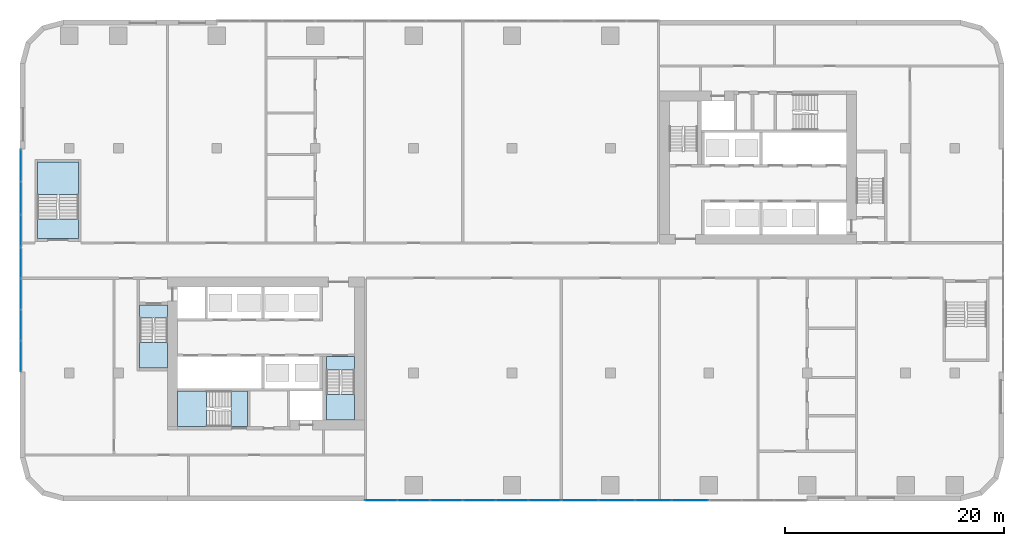
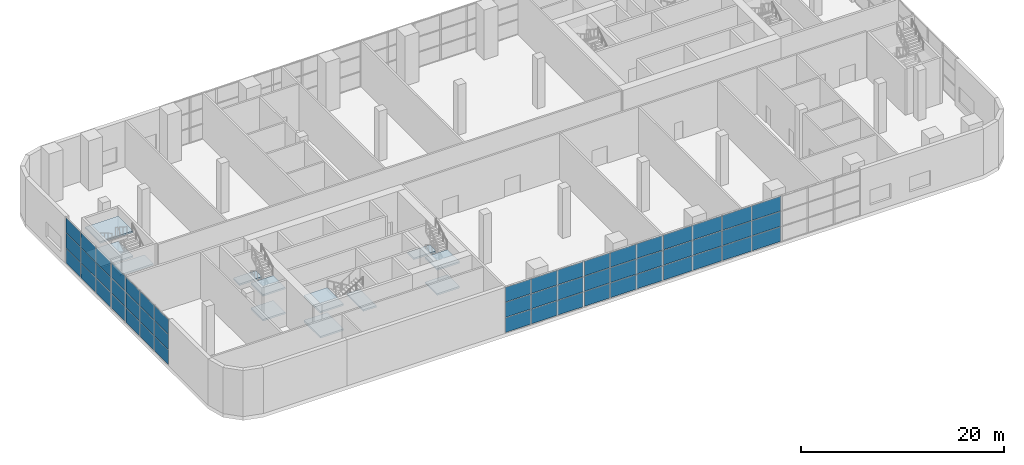
# One storey, part 9 of 27: 51 plates, 12 slabs, 9 elements without a shape of their own.
"""IFC4 building model written with IfcOpenShell, lengths in metres."""

from ifc_helpers import new_model, si_unit, direction, frame, origin, origin_2d, place, context, subcontext, project, spatial, polyline, rectangle, outline, extrude, material, layer, layer_set, type_object, element, aggregate, save


model = new_model("IFC4")

# Units and contexts
model_context = context("Model", 3, precision=1e-05, world=origin(), true_north=direction((0.0, 1.0)))
body_context = subcontext(model_context, "Body", "Model", "MODEL_VIEW")
ifc_project = project(units=[si_unit("LENGTHUNIT", "METRE"), si_unit("AREAUNIT", "SQUARE_METRE"), si_unit("VOLUMEUNIT", "CUBIC_METRE"), si_unit("PLANEANGLEUNIT", "RADIAN"), si_unit("MASSUNIT", "GRAM", prefix="KILO")], contexts=[model_context])

# Site, building, storey
site_placement = place(None, origin())
site = spatial("IfcSite", under=ifc_project, at=site_placement, CompositionType="ELEMENT")
building_placement = place(site_placement, origin())
building = spatial("IfcBuilding", under=site, at=building_placement, Name="Kajstack Hotel Tower", CompositionType="ELEMENT")
storey_placement = place(building_placement, frame((0.0, 0.0, 11.0)))
storey = spatial("IfcBuildingStorey", under=building, at=storey_placement, Name="L01", CompositionType="ELEMENT", Elevation=11.0)

# Curtain wall, plates
ifc_material_1 = material(Name="Aluminium-framed curtain wall, low-iron glass", Category="aluminium")
curtain_wall_type = type_object("IfcCurtainWallType", Name="CW-LOBBY", PredefinedType="NOTDEFINED", material=ifc_material_1)
curtain_wall_1_placement = place(storey_placement, origin())
curtain_wall_1 = element("IfcCurtainWall", 1, at=curtain_wall_1_placement, inside=storey, type_object=curtain_wall_type, Name="Curtain wall CU1 L01-03-02-0", PredefinedType="NOTDEFINED")
ifc_material_2 = material(Name="Low-iron glass", Category="glass")
ifc_layer_1 = layer(ifc_material_2, 0.031982421875)
ifc_layer_set_1 = layer_set([ifc_layer_1], Name="CW-P-LOBBY")
plate_type = type_object("IfcPlateType", Name="CW-P-LOBBY", PredefinedType="CURTAIN_PANEL", material=ifc_layer_set_1)
plate_1_placement = place(storey_placement, frame((-11.985107421875, -21.925048828125, 0.06005859375), z_axis=(0.0, 0.0, 1.0), x_axis=(1.0, 0.0, 0.0)))
plate_1 = element("IfcPlate", 2, at=plate_1_placement, type_object=plate_type, Name="CU1 panel 1.1", PredefinedType="CURTAIN_PANEL", context=body_context, shape_type="SweptSolid", body=[
    extrude(rectangle(XDim=2.909912109375, YDim=0.031982421875, at=origin_2d()), origin(), (0.0, 0.0, 1.0), 1.760009765625),
])
plate_2_placement = place(storey_placement, frame((-11.985107421875, -21.925048828125, 1.8798828125), z_axis=(0.0, 0.0, 1.0), x_axis=(1.0, 0.0, 0.0)))
plate_2 = element("IfcPlate", 3, at=plate_2_placement, type_object=plate_type, Name="CU1 panel 1.2", PredefinedType="CURTAIN_PANEL", context=body_context, shape_type="SweptSolid", body=[
    extrude(rectangle(XDim=2.909912109375, YDim=0.031982421875, at=origin_2d()), origin(), (0.0, 0.0, 1.0), 1.7900390625),
])
plate_3_placement = place(storey_placement, frame((-11.985107421875, -21.925048828125, 3.72998046875), z_axis=(0.0, 0.0, 1.0), x_axis=(1.0, 0.0, 0.0)))
plate_3 = element("IfcPlate", 4, at=plate_3_placement, type_object=plate_type, Name="CU1 panel 1.3", PredefinedType="CURTAIN_PANEL", context=body_context, shape_type="SweptSolid", body=[
    extrude(rectangle(XDim=2.909912109375, YDim=0.031982421875, at=origin_2d()), origin(), (0.0, 0.0, 1.0), 1.760009765625),
])
plate_4_placement = place(storey_placement, frame((-9.0, -21.925048828125, 0.06005859375), z_axis=(0.0, 0.0, 1.0), x_axis=(1.0, 0.0, 0.0)))
plate_4 = element("IfcPlate", 5, at=plate_4_placement, type_object=plate_type, Name="CU1 panel 2.1", PredefinedType="CURTAIN_PANEL", context=body_context, shape_type="SweptSolid", body=[
    extrude(rectangle(XDim=2.93994140625, YDim=0.031982421875, at=origin_2d()), origin(), (0.0, 0.0, 1.0), 1.760009765625),
])
plate_5_placement = place(storey_placement, frame((-9.0, -21.925048828125, 1.8798828125), z_axis=(0.0, 0.0, 1.0), x_axis=(1.0, 0.0, 0.0)))
plate_5 = element("IfcPlate", 6, at=plate_5_placement, type_object=plate_type, Name="CU1 panel 2.2", PredefinedType="CURTAIN_PANEL", context=body_context, shape_type="SweptSolid", body=[
    extrude(rectangle(XDim=2.93994140625, YDim=0.031982421875, at=origin_2d()), origin(), (0.0, 0.0, 1.0), 1.7900390625),
])
plate_6_placement = place(storey_placement, frame((-9.0, -21.925048828125, 3.72998046875), z_axis=(0.0, 0.0, 1.0), x_axis=(1.0, 0.0, 0.0)))
plate_6 = element("IfcPlate", 7, at=plate_6_placement, type_object=plate_type, Name="CU1 panel 2.3", PredefinedType="CURTAIN_PANEL", context=body_context, shape_type="SweptSolid", body=[
    extrude(rectangle(XDim=2.93994140625, YDim=0.031982421875, at=origin_2d()), origin(), (0.0, 0.0, 1.0), 1.760009765625),
])
plate_7_placement = place(storey_placement, frame((-6.014892578125, -21.925048828125, 0.06005859375), z_axis=(0.0, 0.0, 1.0), x_axis=(1.0, 0.0, 0.0)))
plate_7 = element("IfcPlate", 8, at=plate_7_placement, type_object=plate_type, Name="CU1 panel 3.1", PredefinedType="CURTAIN_PANEL", context=body_context, shape_type="SweptSolid", body=[
    extrude(rectangle(XDim=2.909912109375, YDim=0.031982421875, at=origin_2d()), origin(), (0.0, 0.0, 1.0), 1.760009765625),
])
plate_8_placement = place(storey_placement, frame((-6.014892578125, -21.925048828125, 1.8798828125), z_axis=(0.0, 0.0, 1.0), x_axis=(1.0, 0.0, 0.0)))
plate_8 = element("IfcPlate", 9, at=plate_8_placement, type_object=plate_type, Name="CU1 panel 3.2", PredefinedType="CURTAIN_PANEL", context=body_context, shape_type="SweptSolid", body=[
    extrude(rectangle(XDim=2.909912109375, YDim=0.031982421875, at=origin_2d()), origin(), (0.0, 0.0, 1.0), 1.7900390625),
])
plate_9_placement = place(storey_placement, frame((-6.014892578125, -21.925048828125, 3.72998046875), z_axis=(0.0, 0.0, 1.0), x_axis=(1.0, 0.0, 0.0)))
plate_9 = element("IfcPlate", 10, at=plate_9_placement, type_object=plate_type, Name="CU1 panel 3.3", PredefinedType="CURTAIN_PANEL", context=body_context, shape_type="SweptSolid", body=[
    extrude(rectangle(XDim=2.909912109375, YDim=0.031982421875, at=origin_2d()), origin(), (0.0, 0.0, 1.0), 1.760009765625),
])
aggregate(curtain_wall_1, [plate_1, plate_2, plate_3, plate_4, plate_5, plate_6, plate_7, plate_8, plate_9])

curtain_wall_2_placement = place(storey_placement, origin())
curtain_wall_2 = element("IfcCurtainWall", 11, at=curtain_wall_2_placement, inside=storey, type_object=curtain_wall_type, Name="Curtain wall CU1 L01-03-02-1", PredefinedType="NOTDEFINED")
plate_10_placement = place(storey_placement, frame((-2.985107421875, -21.925048828125, 0.06005859375), z_axis=(0.0, 0.0, 1.0), x_axis=(1.0, 0.0, 0.0)))
plate_10 = element("IfcPlate", 12, at=plate_10_placement, type_object=plate_type, Name="CU1 panel 1.1", PredefinedType="CURTAIN_PANEL", context=body_context, shape_type="SweptSolid", body=[
    extrude(rectangle(XDim=2.909912109375, YDim=0.031982421875, at=origin_2d()), origin(), (0.0, 0.0, 1.0), 1.760009765625),
])
plate_11_placement = place(storey_placement, frame((-2.985107421875, -21.925048828125, 1.8798828125), z_axis=(0.0, 0.0, 1.0), x_axis=(1.0, 0.0, 0.0)))
plate_11 = element("IfcPlate", 13, at=plate_11_placement, type_object=plate_type, Name="CU1 panel 1.2", PredefinedType="CURTAIN_PANEL", context=body_context, shape_type="SweptSolid", body=[
    extrude(rectangle(XDim=2.909912109375, YDim=0.031982421875, at=origin_2d()), origin(), (0.0, 0.0, 1.0), 1.7900390625),
])
plate_12_placement = place(storey_placement, frame((-2.985107421875, -21.925048828125, 3.72998046875), z_axis=(0.0, 0.0, 1.0), x_axis=(1.0, 0.0, 0.0)))
plate_12 = element("IfcPlate", 14, at=plate_12_placement, type_object=plate_type, Name="CU1 panel 1.3", PredefinedType="CURTAIN_PANEL", context=body_context, shape_type="SweptSolid", body=[
    extrude(rectangle(XDim=2.909912109375, YDim=0.031982421875, at=origin_2d()), origin(), (0.0, 0.0, 1.0), 1.760009765625),
])
plate_13_placement = place(storey_placement, frame((0.0, -21.925048828125, 0.06005859375), z_axis=(0.0, 0.0, 1.0), x_axis=(1.0, 0.0, 0.0)))
plate_13 = element("IfcPlate", 15, at=plate_13_placement, type_object=plate_type, Name="CU1 panel 2.1", PredefinedType="CURTAIN_PANEL", context=body_context, shape_type="SweptSolid", body=[
    extrude(rectangle(XDim=2.93994140625, YDim=0.031982421875, at=origin_2d()), origin(), (0.0, 0.0, 1.0), 1.760009765625),
])
plate_14_placement = place(storey_placement, frame((0.0, -21.925048828125, 1.8798828125), z_axis=(0.0, 0.0, 1.0), x_axis=(1.0, 0.0, 0.0)))
plate_14 = element("IfcPlate", 16, at=plate_14_placement, type_object=plate_type, Name="CU1 panel 2.2", PredefinedType="CURTAIN_PANEL", context=body_context, shape_type="SweptSolid", body=[
    extrude(rectangle(XDim=2.93994140625, YDim=0.031982421875, at=origin_2d()), origin(), (0.0, 0.0, 1.0), 1.7900390625),
])
plate_15_placement = place(storey_placement, frame((0.0, -21.925048828125, 3.72998046875), z_axis=(0.0, 0.0, 1.0), x_axis=(1.0, 0.0, 0.0)))
plate_15 = element("IfcPlate", 17, at=plate_15_placement, type_object=plate_type, Name="CU1 panel 2.3", PredefinedType="CURTAIN_PANEL", context=body_context, shape_type="SweptSolid", body=[
    extrude(rectangle(XDim=2.93994140625, YDim=0.031982421875, at=origin_2d()), origin(), (0.0, 0.0, 1.0), 1.760009765625),
])
plate_16_placement = place(storey_placement, frame((2.985107421875, -21.925048828125, 0.06005859375), z_axis=(0.0, 0.0, 1.0), x_axis=(1.0, 0.0, 0.0)))
plate_16 = element("IfcPlate", 18, at=plate_16_placement, type_object=plate_type, Name="CU1 panel 3.1", PredefinedType="CURTAIN_PANEL", context=body_context, shape_type="SweptSolid", body=[
    extrude(rectangle(XDim=2.909912109375, YDim=0.031982421875, at=origin_2d()), origin(), (0.0, 0.0, 1.0), 1.760009765625),
])
plate_17_placement = place(storey_placement, frame((2.985107421875, -21.925048828125, 1.8798828125), z_axis=(0.0, 0.0, 1.0), x_axis=(1.0, 0.0, 0.0)))
plate_17 = element("IfcPlate", 19, at=plate_17_placement, type_object=plate_type, Name="CU1 panel 3.2", PredefinedType="CURTAIN_PANEL", context=body_context, shape_type="SweptSolid", body=[
    extrude(rectangle(XDim=2.909912109375, YDim=0.031982421875, at=origin_2d()), origin(), (0.0, 0.0, 1.0), 1.7900390625),
])
plate_18_placement = place(storey_placement, frame((2.985107421875, -21.925048828125, 3.72998046875), z_axis=(0.0, 0.0, 1.0), x_axis=(1.0, 0.0, 0.0)))
plate_18 = element("IfcPlate", 20, at=plate_18_placement, type_object=plate_type, Name="CU1 panel 3.3", PredefinedType="CURTAIN_PANEL", context=body_context, shape_type="SweptSolid", body=[
    extrude(rectangle(XDim=2.909912109375, YDim=0.031982421875, at=origin_2d()), origin(), (0.0, 0.0, 1.0), 1.760009765625),
])
aggregate(curtain_wall_2, [plate_10, plate_11, plate_12, plate_13, plate_14, plate_15, plate_16, plate_17, plate_18])

curtain_wall_3_placement = place(storey_placement, origin())
curtain_wall_3 = element("IfcCurtainWall", 21, at=curtain_wall_3_placement, inside=storey, type_object=curtain_wall_type, Name="Curtain wall CU1 L01-03-02-2", PredefinedType="NOTDEFINED")
plate_19_placement = place(storey_placement, frame((6.202392578125, -21.925048828125, 0.06005859375), z_axis=(0.0, 0.0, 1.0), x_axis=(1.0, 0.0, 0.0)))
plate_19 = element("IfcPlate", 22, at=plate_19_placement, type_object=plate_type, Name="CU1 panel 1.1", PredefinedType="CURTAIN_PANEL", context=body_context, shape_type="SweptSolid", body=[
    extrude(rectangle(XDim=3.284912109375, YDim=0.031982421875, at=origin_2d()), origin(), (0.0, 0.0, 1.0), 1.760009765625),
])
plate_20_placement = place(storey_placement, frame((6.202392578125, -21.925048828125, 1.8798828125), z_axis=(0.0, 0.0, 1.0), x_axis=(1.0, 0.0, 0.0)))
plate_20 = element("IfcPlate", 23, at=plate_20_placement, type_object=plate_type, Name="CU1 panel 1.2", PredefinedType="CURTAIN_PANEL", context=body_context, shape_type="SweptSolid", body=[
    extrude(rectangle(XDim=3.284912109375, YDim=0.031982421875, at=origin_2d()), origin(), (0.0, 0.0, 1.0), 1.7900390625),
])
plate_21_placement = place(storey_placement, frame((6.202392578125, -21.925048828125, 3.72998046875), z_axis=(0.0, 0.0, 1.0), x_axis=(1.0, 0.0, 0.0)))
plate_21 = element("IfcPlate", 24, at=plate_21_placement, type_object=plate_type, Name="CU1 panel 1.3", PredefinedType="CURTAIN_PANEL", context=body_context, shape_type="SweptSolid", body=[
    extrude(rectangle(XDim=3.284912109375, YDim=0.031982421875, at=origin_2d()), origin(), (0.0, 0.0, 1.0), 1.760009765625),
])
plate_22_placement = place(storey_placement, frame((9.5625, -21.925048828125, 0.06005859375), z_axis=(0.0, 0.0, 1.0), x_axis=(1.0, 0.0, 0.0)))
plate_22 = element("IfcPlate", 25, at=plate_22_placement, type_object=plate_type, Name="CU1 panel 2.1", PredefinedType="CURTAIN_PANEL", context=body_context, shape_type="SweptSolid", body=[
    extrude(rectangle(XDim=3.31494140625, YDim=0.031982421875, at=origin_2d()), origin(), (0.0, 0.0, 1.0), 1.760009765625),
])
plate_23_placement = place(storey_placement, frame((9.5625, -21.925048828125, 1.8798828125), z_axis=(0.0, 0.0, 1.0), x_axis=(1.0, 0.0, 0.0)))
plate_23 = element("IfcPlate", 26, at=plate_23_placement, type_object=plate_type, Name="CU1 panel 2.2", PredefinedType="CURTAIN_PANEL", context=body_context, shape_type="SweptSolid", body=[
    extrude(rectangle(XDim=3.31494140625, YDim=0.031982421875, at=origin_2d()), origin(), (0.0, 0.0, 1.0), 1.7900390625),
])
plate_24_placement = place(storey_placement, frame((9.5625, -21.925048828125, 3.72998046875), z_axis=(0.0, 0.0, 1.0), x_axis=(1.0, 0.0, 0.0)))
plate_24 = element("IfcPlate", 27, at=plate_24_placement, type_object=plate_type, Name="CU1 panel 2.3", PredefinedType="CURTAIN_PANEL", context=body_context, shape_type="SweptSolid", body=[
    extrude(rectangle(XDim=3.31494140625, YDim=0.031982421875, at=origin_2d()), origin(), (0.0, 0.0, 1.0), 1.760009765625),
])
plate_25_placement = place(storey_placement, frame((12.9375, -21.925048828125, 0.06005859375), z_axis=(0.0, 0.0, 1.0), x_axis=(1.0, 0.0, 0.0)))
plate_25 = element("IfcPlate", 28, at=plate_25_placement, type_object=plate_type, Name="CU1 panel 3.1", PredefinedType="CURTAIN_PANEL", context=body_context, shape_type="SweptSolid", body=[
    extrude(rectangle(XDim=3.31494140625, YDim=0.031982421875, at=origin_2d()), origin(), (0.0, 0.0, 1.0), 1.760009765625),
])
plate_26_placement = place(storey_placement, frame((12.9375, -21.925048828125, 1.8798828125), z_axis=(0.0, 0.0, 1.0), x_axis=(1.0, 0.0, 0.0)))
plate_26 = element("IfcPlate", 29, at=plate_26_placement, type_object=plate_type, Name="CU1 panel 3.2", PredefinedType="CURTAIN_PANEL", context=body_context, shape_type="SweptSolid", body=[
    extrude(rectangle(XDim=3.31494140625, YDim=0.031982421875, at=origin_2d()), origin(), (0.0, 0.0, 1.0), 1.7900390625),
])
plate_27_placement = place(storey_placement, frame((12.9375, -21.925048828125, 3.72998046875), z_axis=(0.0, 0.0, 1.0), x_axis=(1.0, 0.0, 0.0)))
plate_27 = element("IfcPlate", 30, at=plate_27_placement, type_object=plate_type, Name="CU1 panel 3.3", PredefinedType="CURTAIN_PANEL", context=body_context, shape_type="SweptSolid", body=[
    extrude(rectangle(XDim=3.31494140625, YDim=0.031982421875, at=origin_2d()), origin(), (0.0, 0.0, 1.0), 1.760009765625),
])
plate_28_placement = place(storey_placement, frame((16.297607421875, -21.925048828125, 0.06005859375), z_axis=(0.0, 0.0, 1.0), x_axis=(1.0, 0.0, 0.0)))
plate_28 = element("IfcPlate", 31, at=plate_28_placement, type_object=plate_type, Name="CU1 panel 4.1", PredefinedType="CURTAIN_PANEL", context=body_context, shape_type="SweptSolid", body=[
    extrude(rectangle(XDim=3.284912109375, YDim=0.031982421875, at=origin_2d()), origin(), (0.0, 0.0, 1.0), 1.760009765625),
])
plate_29_placement = place(storey_placement, frame((16.297607421875, -21.925048828125, 1.8798828125), z_axis=(0.0, 0.0, 1.0), x_axis=(1.0, 0.0, 0.0)))
plate_29 = element("IfcPlate", 32, at=plate_29_placement, type_object=plate_type, Name="CU1 panel 4.2", PredefinedType="CURTAIN_PANEL", context=body_context, shape_type="SweptSolid", body=[
    extrude(rectangle(XDim=3.284912109375, YDim=0.031982421875, at=origin_2d()), origin(), (0.0, 0.0, 1.0), 1.7900390625),
])
plate_30_placement = place(storey_placement, frame((16.297607421875, -21.925048828125, 3.72998046875), z_axis=(0.0, 0.0, 1.0), x_axis=(1.0, 0.0, 0.0)))
plate_30 = element("IfcPlate", 33, at=plate_30_placement, type_object=plate_type, Name="CU1 panel 4.3", PredefinedType="CURTAIN_PANEL", context=body_context, shape_type="SweptSolid", body=[
    extrude(rectangle(XDim=3.284912109375, YDim=0.031982421875, at=origin_2d()), origin(), (0.0, 0.0, 1.0), 1.760009765625),
])
aggregate(curtain_wall_3, [plate_19, plate_20, plate_21, plate_22, plate_23, plate_24, plate_25, plate_26, plate_27, plate_28, plate_29, plate_30])

curtain_wall_4_placement = place(storey_placement, origin())
curtain_wall_4 = element("IfcCurtainWall", 34, at=curtain_wall_4_placement, inside=storey, type_object=curtain_wall_type, Name="Curtain wall CU1 L01-15-01-0", PredefinedType="NOTDEFINED")
plate_31_placement = place(storey_placement, frame((-44.925048828125, 8.68505859375, 0.06005859375), z_axis=(0.0, 0.0, 1.0), x_axis=(0.0, -1.0, 0.0)))
plate_31 = element("IfcPlate", 35, at=plate_31_placement, type_object=plate_type, Name="CU1 panel 1.1", PredefinedType="CURTAIN_PANEL", context=body_context, shape_type="SweptSolid", body=[
    extrude(rectangle(XDim=2.909912109375, YDim=0.031982421875, at=origin_2d()), origin(), (0.0, 0.0, 1.0), 1.760009765625),
])
plate_32_placement = place(storey_placement, frame((-44.925048828125, 8.68505859375, 1.8798828125), z_axis=(0.0, 0.0, 1.0), x_axis=(0.0, -1.0, 0.0)))
plate_32 = element("IfcPlate", 36, at=plate_32_placement, type_object=plate_type, Name="CU1 panel 1.2", PredefinedType="CURTAIN_PANEL", context=body_context, shape_type="SweptSolid", body=[
    extrude(rectangle(XDim=2.909912109375, YDim=0.031982421875, at=origin_2d()), origin(), (0.0, 0.0, 1.0), 1.7900390625),
])
plate_33_placement = place(storey_placement, frame((-44.925048828125, 8.68505859375, 3.72998046875), z_axis=(0.0, 0.0, 1.0), x_axis=(0.0, -1.0, 0.0)))
plate_33 = element("IfcPlate", 37, at=plate_33_placement, type_object=plate_type, Name="CU1 panel 1.3", PredefinedType="CURTAIN_PANEL", context=body_context, shape_type="SweptSolid", body=[
    extrude(rectangle(XDim=2.909912109375, YDim=0.031982421875, at=origin_2d()), origin(), (0.0, 0.0, 1.0), 1.760009765625),
])
plate_34_placement = place(storey_placement, frame((-44.925048828125, 5.699951171875, 0.06005859375), z_axis=(0.0, 0.0, 1.0), x_axis=(0.0, -1.0, 0.0)))
plate_34 = element("IfcPlate", 38, at=plate_34_placement, type_object=plate_type, Name="CU1 panel 2.1", PredefinedType="CURTAIN_PANEL", context=body_context, shape_type="SweptSolid", body=[
    extrude(rectangle(XDim=2.93994140625, YDim=0.031982421875, at=origin_2d()), origin(), (0.0, 0.0, 1.0), 1.760009765625),
])
plate_35_placement = place(storey_placement, frame((-44.925048828125, 5.699951171875, 1.8798828125), z_axis=(0.0, 0.0, 1.0), x_axis=(0.0, -1.0, 0.0)))
plate_35 = element("IfcPlate", 39, at=plate_35_placement, type_object=plate_type, Name="CU1 panel 2.2", PredefinedType="CURTAIN_PANEL", context=body_context, shape_type="SweptSolid", body=[
    extrude(rectangle(XDim=2.93994140625, YDim=0.031982421875, at=origin_2d()), origin(), (0.0, 0.0, 1.0), 1.7900390625),
])
plate_36_placement = place(storey_placement, frame((-44.925048828125, 5.699951171875, 3.72998046875), z_axis=(0.0, 0.0, 1.0), x_axis=(0.0, -1.0, 0.0)))
plate_36 = element("IfcPlate", 40, at=plate_36_placement, type_object=plate_type, Name="CU1 panel 2.3", PredefinedType="CURTAIN_PANEL", context=body_context, shape_type="SweptSolid", body=[
    extrude(rectangle(XDim=2.93994140625, YDim=0.031982421875, at=origin_2d()), origin(), (0.0, 0.0, 1.0), 1.760009765625),
])
plate_37_placement = place(storey_placement, frame((-44.925048828125, 2.715087890625, 0.06005859375), z_axis=(0.0, 0.0, 1.0), x_axis=(0.0, -1.0, 0.0)))
plate_37 = element("IfcPlate", 41, at=plate_37_placement, type_object=plate_type, Name="CU1 panel 3.1", PredefinedType="CURTAIN_PANEL", context=body_context, shape_type="SweptSolid", body=[
    extrude(rectangle(XDim=2.909912109375, YDim=0.031982421875, at=origin_2d()), origin(), (0.0, 0.0, 1.0), 1.760009765625),
])
plate_38_placement = place(storey_placement, frame((-44.925048828125, 2.715087890625, 1.8798828125), z_axis=(0.0, 0.0, 1.0), x_axis=(0.0, -1.0, 0.0)))
plate_38 = element("IfcPlate", 42, at=plate_38_placement, type_object=plate_type, Name="CU1 panel 3.2", PredefinedType="CURTAIN_PANEL", context=body_context, shape_type="SweptSolid", body=[
    extrude(rectangle(XDim=2.909912109375, YDim=0.031982421875, at=origin_2d()), origin(), (0.0, 0.0, 1.0), 1.7900390625),
])
plate_39_placement = place(storey_placement, frame((-44.925048828125, 2.715087890625, 3.72998046875), z_axis=(0.0, 0.0, 1.0), x_axis=(0.0, -1.0, 0.0)))
plate_39 = element("IfcPlate", 43, at=plate_39_placement, type_object=plate_type, Name="CU1 panel 3.3", PredefinedType="CURTAIN_PANEL", context=body_context, shape_type="SweptSolid", body=[
    extrude(rectangle(XDim=2.909912109375, YDim=0.031982421875, at=origin_2d()), origin(), (0.0, 0.0, 1.0), 1.760009765625),
])
aggregate(curtain_wall_4, [plate_31, plate_32, plate_33, plate_34, plate_35, plate_36, plate_37, plate_38, plate_39])

curtain_wall_5_placement = place(storey_placement, origin())
curtain_wall_5 = element("IfcCurtainWall", 44, at=curtain_wall_5_placement, inside=storey, type_object=curtain_wall_type, Name="Curtain wall CU1 L01-15-01-1", PredefinedType="NOTDEFINED")
plate_40_placement = place(storey_placement, frame((-44.925048828125, -0.239990234375, 0.06005859375), z_axis=(0.0, 0.0, 1.0), x_axis=(0.0, -1.0, 0.0)))
plate_40 = element("IfcPlate", 45, at=plate_40_placement, type_object=plate_type, Name="CU1 panel 1.1", PredefinedType="CURTAIN_PANEL", context=body_context, shape_type="SweptSolid", body=[
    extrude(rectangle(XDim=2.760009765625, YDim=0.031982421875, at=origin_2d()), origin(), (0.0, 0.0, 1.0), 1.760009765625),
])
plate_41_placement = place(storey_placement, frame((-44.925048828125, -0.239990234375, 1.8798828125), z_axis=(0.0, 0.0, 1.0), x_axis=(0.0, -1.0, 0.0)))
plate_41 = element("IfcPlate", 46, at=plate_41_placement, type_object=plate_type, Name="CU1 panel 1.2", PredefinedType="CURTAIN_PANEL", context=body_context, shape_type="SweptSolid", body=[
    extrude(rectangle(XDim=2.760009765625, YDim=0.031982421875, at=origin_2d()), origin(), (0.0, 0.0, 1.0), 1.7900390625),
])
plate_42_placement = place(storey_placement, frame((-44.925048828125, -0.239990234375, 3.72998046875), z_axis=(0.0, 0.0, 1.0), x_axis=(0.0, -1.0, 0.0)))
plate_42 = element("IfcPlate", 47, at=plate_42_placement, type_object=plate_type, Name="CU1 panel 1.3", PredefinedType="CURTAIN_PANEL", context=body_context, shape_type="SweptSolid", body=[
    extrude(rectangle(XDim=2.760009765625, YDim=0.031982421875, at=origin_2d()), origin(), (0.0, 0.0, 1.0), 1.760009765625),
])
plate_43_placement = place(storey_placement, frame((-44.925048828125, -3.074951171875, 0.06005859375), z_axis=(0.0, 0.0, 1.0), x_axis=(0.0, -1.0, 0.0)))
plate_43 = element("IfcPlate", 48, at=plate_43_placement, type_object=plate_type, Name="CU1 panel 2.1", PredefinedType="CURTAIN_PANEL", context=body_context, shape_type="SweptSolid", body=[
    extrude(rectangle(XDim=2.7900390625, YDim=0.031982421875, at=origin_2d()), origin(), (0.0, 0.0, 1.0), 1.760009765625),
])
plate_44_placement = place(storey_placement, frame((-44.925048828125, -3.074951171875, 1.8798828125), z_axis=(0.0, 0.0, 1.0), x_axis=(0.0, -1.0, 0.0)))
plate_44 = element("IfcPlate", 49, at=plate_44_placement, type_object=plate_type, Name="CU1 panel 2.2", PredefinedType="CURTAIN_PANEL", context=body_context, shape_type="SweptSolid", body=[
    extrude(rectangle(XDim=2.7900390625, YDim=0.031982421875, at=origin_2d()), origin(), (0.0, 0.0, 1.0), 1.7900390625),
])
plate_45_placement = place(storey_placement, frame((-44.925048828125, -3.074951171875, 3.72998046875), z_axis=(0.0, 0.0, 1.0), x_axis=(0.0, -1.0, 0.0)))
plate_45 = element("IfcPlate", 50, at=plate_45_placement, type_object=plate_type, Name="CU1 panel 2.3", PredefinedType="CURTAIN_PANEL", context=body_context, shape_type="SweptSolid", body=[
    extrude(rectangle(XDim=2.7900390625, YDim=0.031982421875, at=origin_2d()), origin(), (0.0, 0.0, 1.0), 1.760009765625),
])
plate_46_placement = place(storey_placement, frame((-44.925048828125, -5.925048828125, 0.06005859375), z_axis=(0.0, 0.0, 1.0), x_axis=(0.0, -1.0, 0.0)))
plate_46 = element("IfcPlate", 51, at=plate_46_placement, type_object=plate_type, Name="CU1 panel 3.1", PredefinedType="CURTAIN_PANEL", context=body_context, shape_type="SweptSolid", body=[
    extrude(rectangle(XDim=2.7900390625, YDim=0.031982421875, at=origin_2d()), origin(), (0.0, 0.0, 1.0), 1.760009765625),
])
plate_47_placement = place(storey_placement, frame((-44.925048828125, -5.925048828125, 1.8798828125), z_axis=(0.0, 0.0, 1.0), x_axis=(0.0, -1.0, 0.0)))
plate_47 = element("IfcPlate", 52, at=plate_47_placement, type_object=plate_type, Name="CU1 panel 3.2", PredefinedType="CURTAIN_PANEL", context=body_context, shape_type="SweptSolid", body=[
    extrude(rectangle(XDim=2.7900390625, YDim=0.031982421875, at=origin_2d()), origin(), (0.0, 0.0, 1.0), 1.7900390625),
])
plate_48_placement = place(storey_placement, frame((-44.925048828125, -5.925048828125, 3.72998046875), z_axis=(0.0, 0.0, 1.0), x_axis=(0.0, -1.0, 0.0)))
plate_48 = element("IfcPlate", 53, at=plate_48_placement, type_object=plate_type, Name="CU1 panel 3.3", PredefinedType="CURTAIN_PANEL", context=body_context, shape_type="SweptSolid", body=[
    extrude(rectangle(XDim=2.7900390625, YDim=0.031982421875, at=origin_2d()), origin(), (0.0, 0.0, 1.0), 1.760009765625),
])
plate_49_placement = place(storey_placement, frame((-44.925048828125, -8.760009765625, 0.06005859375), z_axis=(0.0, 0.0, 1.0), x_axis=(0.0, -1.0, 0.0)))
plate_49 = element("IfcPlate", 54, at=plate_49_placement, type_object=plate_type, Name="CU1 panel 4.1", PredefinedType="CURTAIN_PANEL", context=body_context, shape_type="SweptSolid", body=[
    extrude(rectangle(XDim=2.760009765625, YDim=0.031982421875, at=origin_2d()), origin(), (0.0, 0.0, 1.0), 1.760009765625),
])
plate_50_placement = place(storey_placement, frame((-44.925048828125, -8.760009765625, 1.8798828125), z_axis=(0.0, 0.0, 1.0), x_axis=(0.0, -1.0, 0.0)))
plate_50 = element("IfcPlate", 55, at=plate_50_placement, type_object=plate_type, Name="CU1 panel 4.2", PredefinedType="CURTAIN_PANEL", context=body_context, shape_type="SweptSolid", body=[
    extrude(rectangle(XDim=2.760009765625, YDim=0.031982421875, at=origin_2d()), origin(), (0.0, 0.0, 1.0), 1.7900390625),
])
plate_51_placement = place(storey_placement, frame((-44.925048828125, -8.760009765625, 3.72998046875), z_axis=(0.0, 0.0, 1.0), x_axis=(0.0, -1.0, 0.0)))
plate_51 = element("IfcPlate", 56, at=plate_51_placement, type_object=plate_type, Name="CU1 panel 4.3", PredefinedType="CURTAIN_PANEL", context=body_context, shape_type="SweptSolid", body=[
    extrude(rectangle(XDim=2.760009765625, YDim=0.031982421875, at=origin_2d()), origin(), (0.0, 0.0, 1.0), 1.760009765625),
])
aggregate(curtain_wall_5, [plate_40, plate_41, plate_42, plate_43, plate_44, plate_45, plate_46, plate_47, plate_48, plate_49, plate_50, plate_51])

# Stair, slabs
ifc_material_3 = material(Name="Concrete C40/50", Category="concrete")
stair_type_1 = type_object("IfcStairType", Name="Exit stair 1200", PredefinedType="HALF_TURN_STAIR", material=ifc_material_3)
stair_1_placement = place(storey_placement, origin())
stair_1 = element("IfcStair", 57, at=stair_1_placement, inside=storey, type_object=stair_type_1, Name="L01 stair W1", PredefinedType="HALF_TURN_STAIR")
ifc_layer_2 = layer(ifc_material_3, 0.199951171875)
ifc_layer_set_2 = layer_set([ifc_layer_2], Name="Stair landing 200")
slab_type = type_object("IfcSlabType", Name="Stair landing 200", PredefinedType="LANDING", material=ifc_layer_set_2)
slab_1_placement = place(storey_placement, frame((0.0, 0.0, 1.300048828125)))
slab_1 = element("IfcSlab", 58, at=slab_1_placement, type_object=slab_type, Name="W1 landing 1", PredefinedType="LANDING", context=body_context, shape_type="SweptSolid", body=[
    extrude(outline(polyline([(-34.050048828125, -7.489990234375), (-34.050048828125, -9.85009765625), (-31.5, -9.85009765625), (-31.5, -7.489990234375), (-34.050048828125, -7.489990234375)])), origin(), (0.0, 0.0, 1.0), 0.199951171875),
])
slab_2_placement = place(storey_placement, frame((0.0, 0.0, 2.800048828125)))
slab_2 = element("IfcSlab", 59, at=slab_2_placement, type_object=slab_type, Name="W1 landing 2", PredefinedType="LANDING", context=body_context, shape_type="SweptSolid", body=[
    extrude(outline(polyline([(-34.050048828125, -4.050048828125), (-34.050048828125, -5.25), (-31.5, -5.25), (-31.5, -4.050048828125), (-34.050048828125, -4.050048828125)])), origin(), (0.0, 0.0, 1.0), 0.199951171875),
])
slab_3_placement = place(storey_placement, frame((0.0, 0.0, 4.300048828125)))
slab_3 = element("IfcSlab", 60, at=slab_3_placement, type_object=slab_type, Name="W1 landing 3", PredefinedType="LANDING", context=body_context, shape_type="SweptSolid", body=[
    extrude(outline(polyline([(-34.050048828125, -7.489990234375), (-34.050048828125, -9.85009765625), (-31.5, -9.85009765625), (-31.5, -7.489990234375), (-34.050048828125, -7.489990234375)])), origin(), (0.0, 0.0, 1.0), 0.199951171875),
])
aggregate(stair_1, [slab_1, slab_2, slab_3])

stair_2_placement = place(storey_placement, origin())
stair_2 = element("IfcStair", 61, at=stair_2_placement, inside=storey, type_object=stair_type_1, Name="L01 stair W2", PredefinedType="HALF_TURN_STAIR")
slab_4_placement = place(storey_placement, frame((0.0, 0.0, 1.300048828125)))
slab_4 = element("IfcSlab", 62, at=slab_4_placement, type_object=slab_type, Name="W2 landing 1", PredefinedType="LANDING", context=body_context, shape_type="SweptSolid", body=[
    extrude(outline(polyline([(-16.949951171875, -12.239990234375), (-16.949951171875, -14.60009765625), (-14.39990234375, -14.60009765625), (-14.39990234375, -12.239990234375), (-16.949951171875, -12.239990234375)])), origin(), (0.0, 0.0, 1.0), 0.199951171875),
])
slab_5_placement = place(storey_placement, frame((0.0, 0.0, 2.800048828125)))
slab_5 = element("IfcSlab", 63, at=slab_5_placement, type_object=slab_type, Name="W2 landing 2", PredefinedType="LANDING", context=body_context, shape_type="SweptSolid", body=[
    extrude(outline(polyline([(-16.949951171875, -8.800048828125), (-16.949951171875, -10.0), (-14.39990234375, -10.0), (-14.39990234375, -8.800048828125), (-16.949951171875, -8.800048828125)])), origin(), (0.0, 0.0, 1.0), 0.199951171875),
])
slab_6_placement = place(storey_placement, frame((0.0, 0.0, 4.300048828125)))
slab_6 = element("IfcSlab", 64, at=slab_6_placement, type_object=slab_type, Name="W2 landing 3", PredefinedType="LANDING", context=body_context, shape_type="SweptSolid", body=[
    extrude(outline(polyline([(-16.949951171875, -12.239990234375), (-16.949951171875, -14.60009765625), (-14.39990234375, -14.60009765625), (-14.39990234375, -12.239990234375), (-16.949951171875, -12.239990234375)])), origin(), (0.0, 0.0, 1.0), 0.199951171875),
])
aggregate(stair_2, [slab_4, slab_5, slab_6])

stair_type_2 = type_object("IfcStairType", Name="Exit stair 1500", PredefinedType="HALF_TURN_STAIR", material=ifc_material_3)
stair_3_placement = place(storey_placement, origin())
stair_3 = element("IfcStair", 65, at=stair_3_placement, inside=storey, type_object=stair_type_2, Name="L01 stair W3", PredefinedType="HALF_TURN_STAIR")
slab_7_placement = place(storey_placement, frame((0.0, 0.0, 1.300048828125)))
slab_7 = element("IfcSlab", 66, at=slab_7_placement, type_object=slab_type, Name="W3 landing 1", PredefinedType="LANDING", context=body_context, shape_type="SweptSolid", body=[
    extrude(outline(polyline([(-27.93994140625, -11.949951171875), (-30.60009765625, -11.949951171875), (-30.60009765625, -15.199951171875), (-27.93994140625, -15.199951171875), (-27.93994140625, -11.949951171875)])), origin(), (0.0, 0.0, 1.0), 0.199951171875),
])
slab_8_placement = place(storey_placement, frame((0.0, 0.0, 2.800048828125)))
slab_8 = element("IfcSlab", 67, at=slab_8_placement, type_object=slab_type, Name="W3 landing 2", PredefinedType="LANDING", context=body_context, shape_type="SweptSolid", body=[
    extrude(outline(polyline([(-24.199951171875, -11.949951171875), (-25.699951171875, -11.949951171875), (-25.699951171875, -15.199951171875), (-24.199951171875, -15.199951171875), (-24.199951171875, -11.949951171875)])), origin(), (0.0, 0.0, 1.0), 0.199951171875),
])
slab_9_placement = place(storey_placement, frame((0.0, 0.0, 4.300048828125)))
slab_9 = element("IfcSlab", 68, at=slab_9_placement, type_object=slab_type, Name="W3 landing 3", PredefinedType="LANDING", context=body_context, shape_type="SweptSolid", body=[
    extrude(outline(polyline([(-27.93994140625, -11.949951171875), (-30.60009765625, -11.949951171875), (-30.60009765625, -15.199951171875), (-27.93994140625, -15.199951171875), (-27.93994140625, -11.949951171875)])), origin(), (0.0, 0.0, 1.0), 0.199951171875),
])
aggregate(stair_3, [slab_7, slab_8, slab_9])

stair_type_3 = type_object("IfcStairType", Name="Escape stair 1800", PredefinedType="HALF_TURN_STAIR", material=ifc_material_3)
stair_4_placement = place(storey_placement, origin())
stair_4 = element("IfcStair", 69, at=stair_4_placement, inside=storey, type_object=stair_type_3, Name="L01 stair P1", PredefinedType="HALF_TURN_STAIR")
slab_10_placement = place(storey_placement, frame((0.0, 0.0, 1.300048828125)))
slab_10 = element("IfcSlab", 70, at=slab_10_placement, type_object=slab_type, Name="P1 landing 1", PredefinedType="LANDING", context=body_context, shape_type="SweptSolid", body=[
    extrude(outline(polyline([(-39.64990234375, 6.0400390625), (-39.64990234375, 9.0), (-43.39990234375, 9.0), (-43.39990234375, 6.0400390625), (-39.64990234375, 6.0400390625)])), origin(), (0.0, 0.0, 1.0), 0.199951171875),
])
slab_11_placement = place(storey_placement, frame((0.0, 0.0, 2.800048828125)))
slab_11 = element("IfcSlab", 71, at=slab_11_placement, type_object=slab_type, Name="P1 landing 2", PredefinedType="LANDING", context=body_context, shape_type="SweptSolid", body=[
    extrude(outline(polyline([(-39.64990234375, 2.0), (-39.64990234375, 3.800048828125), (-43.39990234375, 3.800048828125), (-43.39990234375, 2.0), (-39.64990234375, 2.0)])), origin(), (0.0, 0.0, 1.0), 0.199951171875),
])
slab_12_placement = place(storey_placement, frame((0.0, 0.0, 4.300048828125)))
slab_12 = element("IfcSlab", 72, at=slab_12_placement, type_object=slab_type, Name="P1 landing 3", PredefinedType="LANDING", context=body_context, shape_type="SweptSolid", body=[
    extrude(outline(polyline([(-39.64990234375, 6.0400390625), (-39.64990234375, 9.0), (-43.39990234375, 9.0), (-43.39990234375, 6.0400390625), (-39.64990234375, 6.0400390625)])), origin(), (0.0, 0.0, 1.0), 0.199951171875),
])
aggregate(stair_4, [slab_10, slab_11, slab_12])

save(model, "model.ifc")
